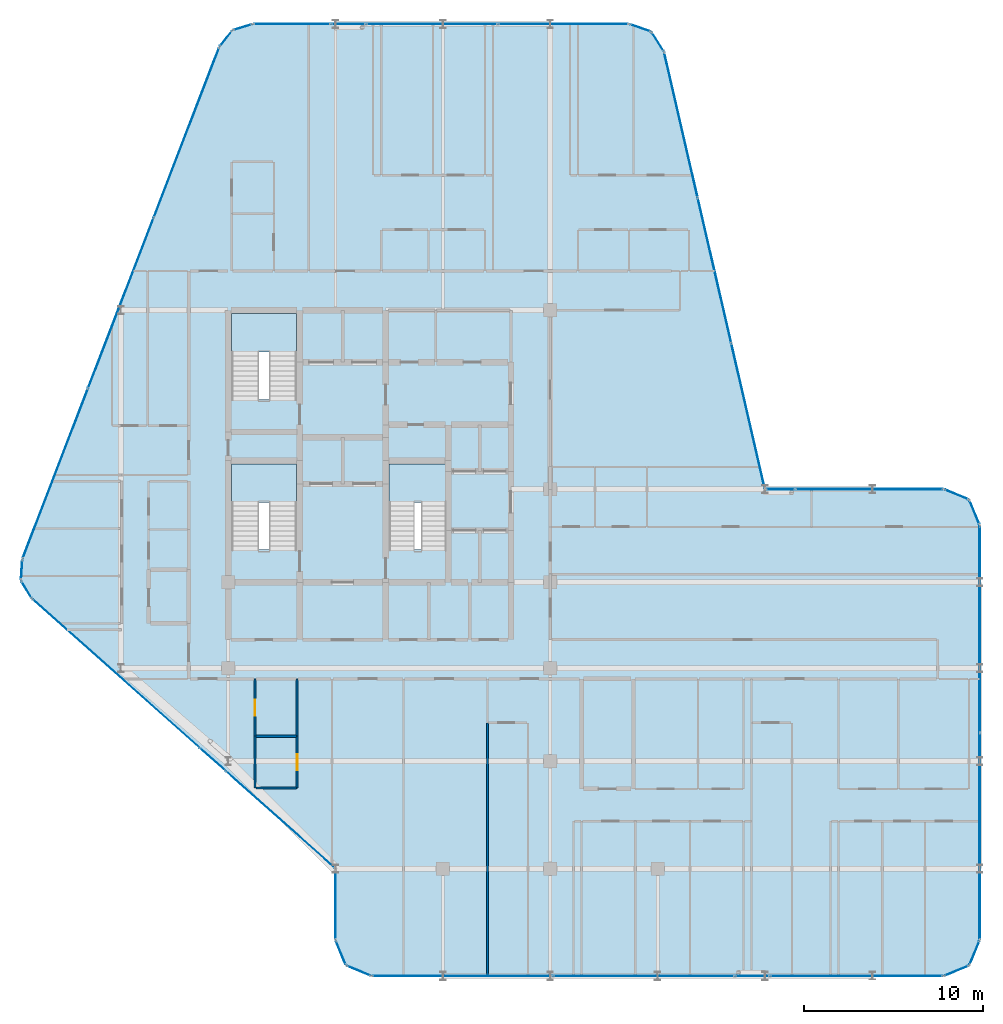
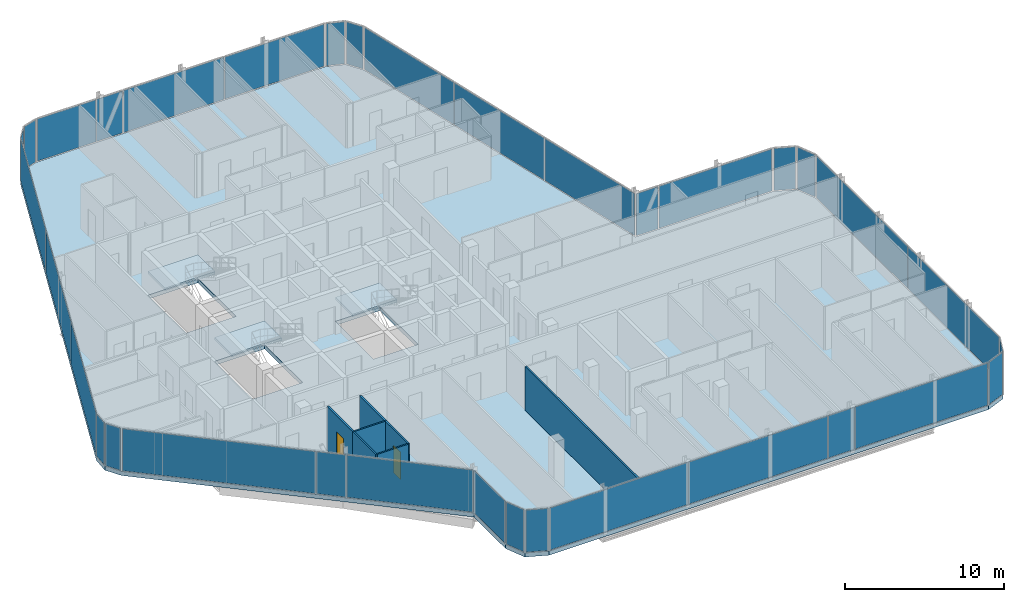
# One storey, part 22 of 29: 34 plates, 7 walls, 4 slabs, 2 doors, 2 openings, 30 elements without a shape of their own.
"""IFC4 building model written with IfcOpenShell, lengths in metres."""

from ifc_helpers import new_model, si_unit, direction, frame, frame_2d, origin, origin_2d, place, context, subcontext, project, spatial, polyline, rectangle, outline, extrude, material, layer, layer_set, type_object, element, fill, aggregate, save


model = new_model("IFC4")

# Units and contexts
model_context = context("Model", 3, precision=1e-05, world=origin(), true_north=direction((0.0, 1.0)))
body_context = subcontext(model_context, "Body", "Model", "MODEL_VIEW")
ifc_project = project(units=[si_unit("LENGTHUNIT", "METRE"), si_unit("AREAUNIT", "SQUARE_METRE"), si_unit("VOLUMEUNIT", "CUBIC_METRE"), si_unit("PLANEANGLEUNIT", "RADIAN"), si_unit("MASSUNIT", "GRAM", prefix="KILO")], contexts=[model_context])

# Site, building, storey
site_placement = place(None, origin())
site = spatial("IfcSite", under=ifc_project, at=site_placement, CompositionType="ELEMENT")
building_placement = place(site_placement, origin())
building = spatial("IfcBuilding", under=site, at=building_placement, Name="Keshet Zoharim Tower", CompositionType="ELEMENT")
storey_placement = place(building_placement, frame((0.0, 0.0, 214.300048828125)))
storey = spatial("IfcBuildingStorey", under=building, at=storey_placement, Name="L53", CompositionType="ELEMENT", Elevation=214.300048828125)

# Curtain wall, plate
ifc_material_1 = material(Name="Aluminium 6063-T6", Category="aluminium")
ifc_layer_1 = layer(ifc_material_1, 0.139892578125)
ifc_layer_set_1 = layer_set([ifc_layer_1], Name="Aluminium 6063-T6")
curtain_wall_type = type_object("IfcCurtainWallType", Name="CW-SYS-05", PredefinedType="NOTDEFINED", material=ifc_layer_set_1)
curtain_wall_1_placement = place(storey_placement, origin())
curtain_wall_1 = element("IfcCurtainWall", 1, at=curtain_wall_1_placement, inside=storey, type_object=curtain_wall_type, Name="L53 Unitised Curtain Wall 01", PredefinedType="NOTDEFINED")
ifc_material_2 = material(Name="Insulated Low-E Clear Glass", Category="glass")
ifc_layer_2 = layer(ifc_material_2, 0.031982421875)
ifc_layer_set_2 = layer_set([ifc_layer_2], Name="Insulated Low-E Clear Glass")
plate_type_1 = type_object("IfcPlateType", Name="CWP-02", PredefinedType="CURTAIN_PANEL", material=ifc_layer_set_2)
plate_1_placement = place(storey_placement, frame((55.70703125, 27.60693359375, 0.06982421875), z_axis=(0.0, 0.0, 1.0), x_axis=(0.92380975372, -0.382851849847, 0.0)))
plate_1 = element("IfcPlate", 2, at=plate_1_placement, type_object=plate_type_1, Name="CW-05 panel 1.1", PredefinedType="CURTAIN_PANEL", context=body_context, shape_type="SweptSolid", body=[
    extrude(rectangle(XDim=1.390625, YDim=0.031982421875, at=origin_2d()), origin(), (0.0, 0.0, 1.0), 3.239990234375),
])
aggregate(curtain_wall_1, [plate_1])

curtain_wall_2_placement = place(storey_placement, origin())
curtain_wall_2 = element("IfcCurtainWall", 3, at=curtain_wall_2_placement, inside=storey, type_object=curtain_wall_type, Name="L53 Unitised Curtain Wall 02", PredefinedType="NOTDEFINED")
plate_2_placement = place(storey_placement, frame((56.70703125, 26.60693359375, 0.06982421875), z_axis=(0.0, 0.0, 1.0), x_axis=(0.382851849847, -0.92380975372, 0.0)))
plate_2 = element("IfcPlate", 4, at=plate_2_placement, type_object=plate_type_1, Name="CW-05 panel 1.1", PredefinedType="CURTAIN_PANEL", context=body_context, shape_type="SweptSolid", body=[
    extrude(rectangle(XDim=1.390625, YDim=0.031982421875, at=origin_2d()), origin(), (0.0, 0.0, 1.0), 3.239990234375),
])
aggregate(curtain_wall_2, [plate_2])

# Curtain wall, plates
curtain_wall_3_placement = place(storey_placement, origin())
curtain_wall_3 = element("IfcCurtainWall", 5, at=curtain_wall_3_placement, inside=storey, type_object=curtain_wall_type, Name="L53 Unitised Curtain Wall 03", PredefinedType="NOTDEFINED")
plate_3_placement = place(storey_placement, frame((57.0, 20.08251953125, 0.06982421875), z_axis=(0.0, 0.0, 1.0), x_axis=(0.0, -1.0, 0.0)))
plate_3 = element("IfcPlate", 6, at=plate_3_placement, type_object=plate_type_1, Name="CW-05 panel 1.1", PredefinedType="CURTAIN_PANEL", context=body_context, shape_type="SweptSolid", body=[
    extrude(rectangle(XDim=11.4951171875, YDim=0.031982421875, at=origin_2d()), origin(), (0.0, 0.0, 1.0), 3.239990234375),
])
plate_4_placement = place(storey_placement, frame((57.0, 8.517578125, 0.06982421875), z_axis=(0.0, 0.0, 1.0), x_axis=(0.0, -1.0, 0.0)))
plate_4 = element("IfcPlate", 7, at=plate_4_placement, type_object=plate_type_1, Name="CW-05 panel 2.1", PredefinedType="CURTAIN_PANEL", context=body_context, shape_type="SweptSolid", body=[
    extrude(rectangle(XDim=11.4951171875, YDim=0.031982421875, at=origin_2d()), origin(), (0.0, 0.0, 1.0), 3.239990234375),
])
aggregate(curtain_wall_3, [plate_3, plate_4])

# Curtain wall, plate
curtain_wall_4_placement = place(storey_placement, origin())
curtain_wall_4 = element("IfcCurtainWall", 8, at=curtain_wall_4_placement, inside=storey, type_object=curtain_wall_type, Name="L53 Unitised Curtain Wall 04", PredefinedType="NOTDEFINED")
plate_5_placement = place(storey_placement, frame((56.70703125, 1.992919921875, 0.06982421875), z_axis=(0.0, 0.0, 1.0), x_axis=(-0.382851849847, -0.92380975372, 0.0)))
plate_5 = element("IfcPlate", 9, at=plate_5_placement, type_object=plate_type_1, Name="CW-05 panel 1.1", PredefinedType="CURTAIN_PANEL", context=body_context, shape_type="SweptSolid", body=[
    extrude(rectangle(XDim=1.390625, YDim=0.031982421875, at=origin_2d()), origin(), (0.0, 0.0, 1.0), 3.239990234375),
])
aggregate(curtain_wall_4, [plate_5])

curtain_wall_5_placement = place(storey_placement, origin())
curtain_wall_5 = element("IfcCurtainWall", 10, at=curtain_wall_5_placement, inside=storey, type_object=curtain_wall_type, Name="L53 Unitised Curtain Wall 05", PredefinedType="NOTDEFINED")
plate_6_placement = place(storey_placement, frame((55.70703125, 0.992919921875, 0.06982421875), z_axis=(0.0, 0.0, 1.0), x_axis=(-0.92380975372, -0.382851849847, 0.0)))
plate_6 = element("IfcPlate", 11, at=plate_6_placement, type_object=plate_type_1, Name="CW-05 panel 1.1", PredefinedType="CURTAIN_PANEL", context=body_context, shape_type="SweptSolid", body=[
    extrude(rectangle(XDim=1.390625, YDim=0.031982421875, at=origin_2d()), origin(), (0.0, 0.0, 1.0), 3.239990234375),
])
aggregate(curtain_wall_5, [plate_6])

curtain_wall_6_placement = place(storey_placement, origin())
curtain_wall_6 = element("IfcCurtainWall", 12, at=curtain_wall_6_placement, inside=storey, type_object=curtain_wall_type, Name="L53 Unitised Curtain Wall 06", PredefinedType="NOTDEFINED")
plate_7_placement = place(storey_placement, frame((50.1123046875, 0.699951171875, 0.06982421875), z_axis=(0.0, 0.0, 1.0), x_axis=(-1.0, 0.0, 0.0)))
plate_7 = element("IfcPlate", 13, at=plate_7_placement, type_object=plate_type_1, Name="CW-05 panel 1.1", PredefinedType="CURTAIN_PANEL", context=body_context, shape_type="SweptSolid", body=[
    extrude(rectangle(XDim=9.63525390625, YDim=0.031982421875, at=origin_2d()), origin(), (0.0, 0.0, 1.0), 3.239990234375),
])
aggregate(curtain_wall_6, [plate_7])

# Curtain wall, plates
curtain_wall_7_placement = place(storey_placement, origin())
curtain_wall_7 = element("IfcCurtainWall", 14, at=curtain_wall_7_placement, inside=storey, type_object=curtain_wall_type, Name="L53 Unitised Curtain Wall 06 Part 3", PredefinedType="NOTDEFINED")
plate_8_placement = place(storey_placement, frame((38.223876953125, 0.699951171875, 0.06982421875), z_axis=(0.0, 0.0, 1.0), x_axis=(-1.0, 0.0, 0.0)))
plate_8 = element("IfcPlate", 15, at=plate_8_placement, type_object=plate_type_1, Name="CW-05 panel 1.1", PredefinedType="CURTAIN_PANEL", context=body_context, shape_type="SweptSolid", body=[
    extrude(rectangle(XDim=10.1025390625, YDim=0.031982421875, at=origin_2d()), origin(), (0.0, 0.0, 1.0), 3.239990234375),
])
plate_9_placement = place(storey_placement, frame((28.086181640625, 0.699951171875, 0.06982421875), z_axis=(0.0, 0.0, 1.0), x_axis=(-1.0, 0.0, 0.0)))
plate_9 = element("IfcPlate", 16, at=plate_9_placement, type_object=plate_type_1, Name="CW-05 panel 2.1", PredefinedType="CURTAIN_PANEL", context=body_context, shape_type="SweptSolid", body=[
    extrude(rectangle(XDim=10.03271484375, YDim=0.031982421875, at=origin_2d()), origin(), (0.0, 0.0, 1.0), 3.239990234375),
])
aggregate(curtain_wall_7, [plate_8, plate_9])

# Curtain wall, plate
curtain_wall_8_placement = place(storey_placement, origin())
curtain_wall_8 = element("IfcCurtainWall", 17, at=curtain_wall_8_placement, inside=storey, type_object=curtain_wall_type, Name="L53 Unitised Curtain Wall 07", PredefinedType="NOTDEFINED")
plate_10_placement = place(storey_placement, frame((22.29296875, 0.992919921875, 0.06982421875), z_axis=(0.0, 0.0, 1.0), x_axis=(-0.92380975372, 0.382851849847, 0.0)))
plate_10 = element("IfcPlate", 18, at=plate_10_placement, type_object=plate_type_1, Name="CW-05 panel 1.1", PredefinedType="CURTAIN_PANEL", context=body_context, shape_type="SweptSolid", body=[
    extrude(rectangle(XDim=1.390625, YDim=0.031982421875, at=origin_2d()), origin(), (0.0, 0.0, 1.0), 3.239990234375),
])
aggregate(curtain_wall_8, [plate_10])

curtain_wall_9_placement = place(storey_placement, origin())
curtain_wall_9 = element("IfcCurtainWall", 19, at=curtain_wall_9_placement, inside=storey, type_object=curtain_wall_type, Name="L53 Unitised Curtain Wall 08", PredefinedType="NOTDEFINED")
plate_11_placement = place(storey_placement, frame((21.29296875, 1.992919921875, 0.06982421875), z_axis=(0.0, 0.0, 1.0), x_axis=(-0.382851849847, 0.92380975372, 0.0)))
plate_11 = element("IfcPlate", 20, at=plate_11_placement, type_object=plate_type_1, Name="CW-05 panel 1.1", PredefinedType="CURTAIN_PANEL", context=body_context, shape_type="SweptSolid", body=[
    extrude(rectangle(XDim=1.390625, YDim=0.031982421875, at=origin_2d()), origin(), (0.0, 0.0, 1.0), 3.239990234375),
])
aggregate(curtain_wall_9, [plate_11])

curtain_wall_10_placement = place(storey_placement, origin())
curtain_wall_10 = element("IfcCurtainWall", 21, at=curtain_wall_10_placement, inside=storey, type_object=curtain_wall_type, Name="L53 Unitised Curtain Wall 09", PredefinedType="NOTDEFINED")
plate_12_placement = place(storey_placement, frame((21.0, 4.699951171875, 0.06982421875), z_axis=(0.0, 0.0, 1.0), x_axis=(0.0, 1.0, 0.0)))
plate_12 = element("IfcPlate", 22, at=plate_12_placement, type_object=plate_type_1, Name="CW-05 panel 1.1", PredefinedType="CURTAIN_PANEL", context=body_context, shape_type="SweptSolid", body=[
    extrude(rectangle(XDim=3.860107421875, YDim=0.031982421875, at=origin_2d()), origin(), (0.0, 0.0, 1.0), 3.239990234375),
])
aggregate(curtain_wall_10, [plate_12])

curtain_wall_11_placement = place(storey_placement, origin())
curtain_wall_11 = element("IfcCurtainWall", 23, at=curtain_wall_11_placement, inside=storey, type_object=curtain_wall_type, Name="L53 Unitised Curtain Wall 10", PredefinedType="NOTDEFINED")
plate_13_placement = place(storey_placement, frame((17.91845703125, 9.439208984375, 0.06982421875), z_axis=(0.0, 0.0, 1.0), x_axis=(-0.747409318679, 0.664363838836, 0.0)))
plate_13 = element("IfcPlate", 24, at=plate_13_placement, type_object=plate_type_1, Name="CW-05 panel 1.1", PredefinedType="CURTAIN_PANEL", context=body_context, shape_type="SweptSolid", body=[
    extrude(rectangle(XDim=8.106201171875, YDim=0.031982421875, at=origin_2d()), origin(), (0.0, 0.0, 1.0), 3.239990234375),
])
aggregate(curtain_wall_11, [plate_13])

curtain_wall_12_placement = place(storey_placement, origin())
curtain_wall_12 = element("IfcCurtainWall", 25, at=curtain_wall_12_placement, inside=storey, type_object=curtain_wall_type, Name="L53 Unitised Curtain Wall 10 Part 3", PredefinedType="NOTDEFINED")
plate_14_placement = place(storey_placement, frame((8.733642578125, 17.603515625, 0.06982421875), z_axis=(0.0, 0.0, 1.0), x_axis=(-0.747408877406, 0.664364335267, 0.0)))
plate_14 = element("IfcPlate", 26, at=plate_14_placement, type_object=plate_type_1, Name="CW-05 panel 1.1", PredefinedType="CURTAIN_PANEL", context=body_context, shape_type="SweptSolid", body=[
    extrude(rectangle(XDim=12.432861328125, YDim=0.031982421875, at=origin_2d()), origin(), (0.0, 0.0, 1.0), 3.239990234375),
])
aggregate(curtain_wall_12, [plate_14])

curtain_wall_13_placement = place(storey_placement, origin())
curtain_wall_13 = element("IfcCurtainWall", 27, at=curtain_wall_13_placement, inside=storey, type_object=curtain_wall_type, Name="L53 Unitised Curtain Wall 11", PredefinedType="NOTDEFINED")
plate_15_placement = place(storey_placement, frame((3.7275390625, 22.291015625, 0.06982421875), z_axis=(0.0, 0.0, 1.0), x_axis=(-0.515604947933, 0.856826433805, 0.0)))
plate_15 = element("IfcPlate", 28, at=plate_15_placement, type_object=plate_type_1, Name="CW-05 panel 1.1", PredefinedType="CURTAIN_PANEL", context=body_context, shape_type="SweptSolid", body=[
    extrude(rectangle(XDim=1.052734375, YDim=0.031982421875, at=origin_2d()), origin(), (0.0, 0.0, 1.0), 3.239990234375),
])
aggregate(curtain_wall_13, [plate_15])

curtain_wall_14_placement = place(storey_placement, origin())
curtain_wall_14 = element("IfcCurtainWall", 29, at=curtain_wall_14_placement, inside=storey, type_object=curtain_wall_type, Name="L53 Unitised Curtain Wall 12", PredefinedType="NOTDEFINED")
plate_16_placement = place(storey_placement, frame((3.45849609375, 23.3974609375, 0.06982421875), z_axis=(0.0, 0.0, 1.0), x_axis=(0.064516859374, 0.997916617186, 0.0)))
plate_16 = element("IfcPlate", 30, at=plate_16_placement, type_object=plate_type_1, Name="CW-05 panel 1.1", PredefinedType="CURTAIN_PANEL", context=body_context, shape_type="SweptSolid", body=[
    extrude(rectangle(XDim=1.053466796875, YDim=0.031982421875, at=origin_2d()), origin(), (0.0, 0.0, 1.0), 3.239990234375),
])
aggregate(curtain_wall_14, [plate_16])

# Curtain wall, plates
curtain_wall_15_placement = place(storey_placement, origin())
curtain_wall_15 = element("IfcCurtainWall", 31, at=curtain_wall_15_placement, inside=storey, type_object=curtain_wall_type, Name="L53 Unitised Curtain Wall 13", PredefinedType="NOTDEFINED")
plate_17_placement = place(storey_placement, frame((5.33837890625, 28.7802734375, 0.06982421875), z_axis=(0.0, 0.0, 1.0), x_axis=(0.358990003907, 0.933341404361, 0.0)))
plate_17 = element("IfcPlate", 32, at=plate_17_placement, type_object=plate_type_1, Name="CW-05 panel 1.1", PredefinedType="CURTAIN_PANEL", context=body_context, shape_type="SweptSolid", body=[
    extrude(rectangle(XDim=10.1181640625, YDim=0.031982421875, at=origin_2d()), origin(), (0.0, 0.0, 1.0), 3.239990234375),
])
plate_18_placement = place(storey_placement, frame((9.001953125, 38.305419921875, 0.06982421875), z_axis=(0.0, 0.0, 1.0), x_axis=(0.358990003907, 0.933341404361, 0.0)))
plate_18 = element("IfcPlate", 33, at=plate_18_placement, type_object=plate_type_1, Name="CW-05 panel 2.1", PredefinedType="CURTAIN_PANEL", context=body_context, shape_type="SweptSolid", body=[
    extrude(rectangle(XDim=10.153076171875, YDim=0.031982421875, at=origin_2d()), origin(), (0.0, 0.0, 1.0), 3.239990234375),
])
plate_19_placement = place(storey_placement, frame((12.665771484375, 47.830810546875, 0.06982421875), z_axis=(0.0, 0.0, 1.0), x_axis=(0.358990003907, 0.933341404361, 0.0)))
plate_19 = element("IfcPlate", 34, at=plate_19_placement, type_object=plate_type_1, Name="CW-05 panel 3.1", PredefinedType="CURTAIN_PANEL", context=body_context, shape_type="SweptSolid", body=[
    extrude(rectangle(XDim=10.1181640625, YDim=0.031982421875, at=origin_2d()), origin(), (0.0, 0.0, 1.0), 3.239990234375),
])
aggregate(curtain_wall_15, [plate_17, plate_18, plate_19])

# Curtain wall, plate
curtain_wall_16_placement = place(storey_placement, origin())
curtain_wall_16 = element("IfcCurtainWall", 35, at=curtain_wall_16_placement, inside=storey, type_object=curtain_wall_type, Name="L53 Unitised Curtain Wall 14", PredefinedType="NOTDEFINED")
plate_20_placement = place(storey_placement, frame((14.8740234375, 53.08349609375, 0.06982421875), z_axis=(0.0, 0.0, 1.0), x_axis=(0.619124525989, 0.785292825205, 0.0)))
plate_20 = element("IfcPlate", 36, at=plate_20_placement, type_object=plate_type_1, Name="CW-05 panel 1.1", PredefinedType="CURTAIN_PANEL", context=body_context, shape_type="SweptSolid", body=[
    extrude(rectangle(XDim=1.045654296875, YDim=0.031982421875, at=origin_2d()), origin(), (0.0, 0.0, 1.0), 3.239990234375),
])
aggregate(curtain_wall_16, [plate_20])

curtain_wall_17_placement = place(storey_placement, origin())
curtain_wall_17 = element("IfcCurtainWall", 37, at=curtain_wall_17_placement, inside=storey, type_object=curtain_wall_type, Name="L53 Unitised Curtain Wall 15", PredefinedType="NOTDEFINED")
plate_21_placement = place(storey_placement, frame((15.8076171875, 53.724609375, 0.06982421875), z_axis=(0.0, 0.0, 1.0), x_axis=(0.955212151288, 0.295921857984, 0.0)))
plate_21 = element("IfcPlate", 38, at=plate_21_placement, type_object=plate_type_1, Name="CW-05 panel 1.1", PredefinedType="CURTAIN_PANEL", context=body_context, shape_type="SweptSolid", body=[
    extrude(rectangle(XDim=1.046142578125, YDim=0.031982421875, at=origin_2d()), origin(), (0.0, 0.0, 1.0), 3.239990234375),
])
aggregate(curtain_wall_17, [plate_21])

curtain_wall_18_placement = place(storey_placement, origin())
curtain_wall_18 = element("IfcCurtainWall", 39, at=curtain_wall_18_placement, inside=storey, type_object=curtain_wall_type, Name="L53 Unitised Curtain Wall 16", PredefinedType="NOTDEFINED")
plate_22_placement = place(storey_placement, frame((18.57470703125, 53.89990234375, 0.06982421875), z_axis=(0.0, 0.0, 1.0), x_axis=(1.0, 0.0, 0.0)))
plate_22 = element("IfcPlate", 40, at=plate_22_placement, type_object=plate_type_1, Name="CW-05 panel 1.1", PredefinedType="CURTAIN_PANEL", context=body_context, shape_type="SweptSolid", body=[
    extrude(rectangle(XDim=4.26123046875, YDim=0.031982421875, at=origin_2d()), origin(), (0.0, 0.0, 1.0), 3.239990234375),
])
aggregate(curtain_wall_18, [plate_22])

# Curtain wall, plates
curtain_wall_19_placement = place(storey_placement, origin())
curtain_wall_19 = element("IfcCurtainWall", 41, at=curtain_wall_19_placement, inside=storey, type_object=curtain_wall_type, Name="L53 Unitised Curtain Wall 16 Part 3", PredefinedType="NOTDEFINED")
plate_23_placement = place(storey_placement, frame((26.37841796875, 53.89990234375, 0.06982421875), z_axis=(0.0, 0.0, 1.0), x_axis=(1.0, 0.0, 0.0)))
plate_23 = element("IfcPlate", 42, at=plate_23_placement, type_object=plate_type_1, Name="CW-05 panel 1.1", PredefinedType="CURTAIN_PANEL", context=body_context, shape_type="SweptSolid", body=[
    extrude(rectangle(XDim=7.30712890625, YDim=0.031982421875, at=origin_2d()), origin(), (0.0, 0.0, 1.0), 3.239990234375),
])
plate_24_placement = place(storey_placement, frame((33.720458984375, 53.89990234375, 0.06982421875), z_axis=(0.0, 0.0, 1.0), x_axis=(1.0, 0.0, 0.0)))
plate_24 = element("IfcPlate", 43, at=plate_24_placement, type_object=plate_type_1, Name="CW-05 panel 2.1", PredefinedType="CURTAIN_PANEL", context=body_context, shape_type="SweptSolid", body=[
    extrude(rectangle(XDim=7.237060546875, YDim=0.031982421875, at=origin_2d()), origin(), (0.0, 0.0, 1.0), 3.239990234375),
])
aggregate(curtain_wall_19, [plate_23, plate_24])

# Curtain wall, plate
curtain_wall_20_placement = place(storey_placement, origin())
curtain_wall_20 = element("IfcCurtainWall", 44, at=curtain_wall_20_placement, inside=storey, type_object=curtain_wall_type, Name="L53 Unitised Curtain Wall 17", PredefinedType="NOTDEFINED")
plate_25_placement = place(storey_placement, frame((38.031494140625, 53.6826171875, 0.06982421875), z_axis=(0.0, 0.0, 1.0), x_axis=(0.944035542119, -0.329843743636, 0.0)))
plate_25 = element("IfcPlate", 45, at=plate_25_placement, type_object=plate_type_1, Name="CW-05 panel 1.1", PredefinedType="CURTAIN_PANEL", context=body_context, shape_type="SweptSolid", body=[
    extrude(rectangle(XDim=1.1787109375, YDim=0.031982421875, at=origin_2d()), origin(), (0.0, 0.0, 1.0), 3.239990234375),
])
aggregate(curtain_wall_20, [plate_25])

curtain_wall_21_placement = place(storey_placement, origin())
curtain_wall_21 = element("IfcCurtainWall", 46, at=curtain_wall_21_placement, inside=storey, type_object=curtain_wall_type, Name="L53 Unitised Curtain Wall 18", PredefinedType="NOTDEFINED")
plate_26_placement = place(storey_placement, frame((39.006103515625, 52.907470703125, 0.06982421875), z_axis=(0.0, 0.0, 1.0), x_axis=(0.533878858502, -0.845560976183, 0.0)))
plate_26 = element("IfcPlate", 47, at=plate_26_placement, type_object=plate_type_1, Name="CW-05 panel 1.1", PredefinedType="CURTAIN_PANEL", context=body_context, shape_type="SweptSolid", body=[
    extrude(rectangle(XDim=1.1787109375, YDim=0.031982421875, at=origin_2d()), origin(), (0.0, 0.0, 1.0), 3.239990234375),
])
aggregate(curtain_wall_21, [plate_26])

# Curtain wall, plates
curtain_wall_22_placement = place(storey_placement, origin())
curtain_wall_22 = element("IfcCurtainWall", 48, at=curtain_wall_22_placement, inside=storey, type_object=curtain_wall_type, Name="L53 Unitised Curtain Wall 19", PredefinedType="NOTDEFINED")
plate_27_placement = place(storey_placement, frame((40.30224609375, 48.258056640625, 0.06982421875), z_axis=(0.0, 0.0, 1.0), x_axis=(0.224847864369, -0.974393882313, 0.0)))
plate_27 = element("IfcPlate", 49, at=plate_27_placement, type_object=plate_type_1, Name="CW-05 panel 1.1", PredefinedType="CURTAIN_PANEL", context=body_context, shape_type="SweptSolid", body=[
    extrude(rectangle(XDim=8.25927734375, YDim=0.031982421875, at=origin_2d()), origin(), (0.0, 0.0, 1.0), 3.239990234375),
])
plate_28_placement = place(storey_placement, frame((42.178955078125, 40.125, 0.06982421875), z_axis=(0.0, 0.0, 1.0), x_axis=(0.224847864369, -0.974393882313, 0.0)))
plate_28 = element("IfcPlate", 50, at=plate_28_placement, type_object=plate_type_1, Name="CW-05 panel 2.1", PredefinedType="CURTAIN_PANEL", context=body_context, shape_type="SweptSolid", body=[
    extrude(rectangle(XDim=8.294189453125, YDim=0.031982421875, at=origin_2d()), origin(), (0.0, 0.0, 1.0), 3.239990234375),
])
plate_29_placement = place(storey_placement, frame((44.0556640625, 31.991943359375, 0.06982421875), z_axis=(0.0, 0.0, 1.0), x_axis=(0.224847864369, -0.974393882313, 0.0)))
plate_29 = element("IfcPlate", 51, at=plate_29_placement, type_object=plate_type_1, Name="CW-05 panel 3.1", PredefinedType="CURTAIN_PANEL", context=body_context, shape_type="SweptSolid", body=[
    extrude(rectangle(XDim=8.25927734375, YDim=0.031982421875, at=origin_2d()), origin(), (0.0, 0.0, 1.0), 3.239990234375),
])
aggregate(curtain_wall_22, [plate_27, plate_28, plate_29])

# Curtain wall, plate
curtain_wall_23_placement = place(storey_placement, origin())
curtain_wall_23 = element("IfcCurtainWall", 52, at=curtain_wall_23_placement, inside=storey, type_object=curtain_wall_type, Name="L53 Unitised Curtain Wall 20 Part 2", PredefinedType="NOTDEFINED")
plate_30_placement = place(storey_placement, frame((50.827392578125, 27.89990234375, 0.06982421875), z_axis=(0.0, 0.0, 1.0), x_axis=(1.0, 0.0, 0.0)))
plate_30 = element("IfcPlate", 53, at=plate_30_placement, type_object=plate_type_1, Name="CW-05 panel 1.1", PredefinedType="CURTAIN_PANEL", context=body_context, shape_type="SweptSolid", body=[
    extrude(rectangle(XDim=8.205078125, YDim=0.031982421875, at=origin_2d()), origin(), (0.0, 0.0, 1.0), 3.239990234375),
])
aggregate(curtain_wall_23, [plate_30])

curtain_wall_24_placement = place(storey_placement, origin())
curtain_wall_24 = element("IfcCurtainWall", 54, at=curtain_wall_24_placement, inside=storey, type_object=curtain_wall_type, Name="L53 Unitised Curtain Wall 06 Part 2", PredefinedType="NOTDEFINED")
ifc_material_3 = material(Name="Insulated Aluminium Spandrel Panel", Category="aluminium")
ifc_layer_3 = layer(ifc_material_3, 0.031982421875)
ifc_layer_set_3 = layer_set([ifc_layer_3], Name="Insulated Aluminium Spandrel Panel")
plate_type_2 = type_object("IfcPlateType", Name="CWP-05", PredefinedType="CURTAIN_PANEL", material=ifc_layer_set_3)
plate_31_placement = place(storey_placement, frame((44.284912109375, 0.699951171875, 0.06982421875), z_axis=(0.0, 0.0, 1.0), x_axis=(-1.0, 0.0, 0.0)))
plate_31 = element("IfcPlate", 55, at=plate_31_placement, type_object=plate_type_2, Name="CW-05 spandrel panel 1.1", PredefinedType="CURTAIN_PANEL", context=body_context, shape_type="SweptSolid", body=[
    extrude(rectangle(XDim=1.879638671875, YDim=0.031982421875, at=origin_2d()), origin(), (0.0, 0.0, 1.0), 3.239990234375),
])
aggregate(curtain_wall_24, [plate_31])

curtain_wall_25_placement = place(storey_placement, origin())
curtain_wall_25 = element("IfcCurtainWall", 56, at=curtain_wall_25_placement, inside=storey, type_object=curtain_wall_type, Name="L53 Unitised Curtain Wall 10 Part 2", PredefinedType="NOTDEFINED")
plate_32_placement = place(storey_placement, frame((14.134521484375, 12.802734375, 0.06982421875), z_axis=(0.0, 0.0, 1.0), x_axis=(-0.747412148908, 0.664360654814, 0.0)))
plate_32 = element("IfcPlate", 57, at=plate_32_placement, type_object=plate_type_2, Name="CW-05 spandrel panel 1.1", PredefinedType="CURTAIN_PANEL", context=body_context, shape_type="SweptSolid", body=[
    extrude(rectangle(XDim=1.87939453125, YDim=0.031982421875, at=origin_2d()), origin(), (0.0, 0.0, 1.0), 3.239990234375),
])
aggregate(curtain_wall_25, [plate_32])

curtain_wall_26_placement = place(storey_placement, origin())
curtain_wall_26 = element("IfcCurtainWall", 58, at=curtain_wall_26_placement, inside=storey, type_object=curtain_wall_type, Name="L53 Unitised Curtain Wall 16 Part 2", PredefinedType="NOTDEFINED")
plate_33_placement = place(storey_placement, frame((21.715087890625, 53.89990234375, 0.06982421875), z_axis=(0.0, 0.0, 1.0), x_axis=(1.0, 0.0, 0.0)))
plate_33 = element("IfcPlate", 59, at=plate_33_placement, type_object=plate_type_2, Name="CW-05 spandrel panel 1.1", PredefinedType="CURTAIN_PANEL", context=body_context, shape_type="SweptSolid", body=[
    extrude(rectangle(XDim=1.879638671875, YDim=0.031982421875, at=origin_2d()), origin(), (0.0, 0.0, 1.0), 3.239990234375),
])
aggregate(curtain_wall_26, [plate_33])

curtain_wall_27_placement = place(storey_placement, origin())
curtain_wall_27 = element("IfcCurtainWall", 60, at=curtain_wall_27_placement, inside=storey, type_object=curtain_wall_type, Name="L53 Unitised Curtain Wall 20", PredefinedType="NOTDEFINED")
plate_34_placement = place(storey_placement, frame((45.8623046875, 27.89990234375, 0.06982421875), z_axis=(0.0, 0.0, 1.0), x_axis=(1.0, 0.0, 0.0)))
plate_34 = element("IfcPlate", 61, at=plate_34_placement, type_object=plate_type_2, Name="CW-05 spandrel panel 1.1", PredefinedType="CURTAIN_PANEL", context=body_context, shape_type="SweptSolid", body=[
    extrude(rectangle(XDim=1.584716796875, YDim=0.031982421875, at=origin_2d()), origin(), (0.0, 0.0, 1.0), 3.239990234375),
])
aggregate(curtain_wall_27, [plate_34])

# Stair, slab
ifc_material_4 = material(Name="Concrete C50/60", Category="concrete")
stair_type = type_object("IfcStairType", Name="STR-EXIT-135", PredefinedType="HALF_TURN_STAIR", material=ifc_material_4)
stair_1_placement = place(storey_placement, origin())
stair_1 = element("IfcStair", 62, at=stair_1_placement, inside=storey, type_object=stair_type, Name="L53 Enclosed Exit Stair ST-01", PredefinedType="HALF_TURN_STAIR")
ifc_layer_4 = layer(ifc_material_4, 0.199951171875)
ifc_layer_set_4 = layer_set([ifc_layer_4], Name="Concrete C50/60")
slab_type_1 = type_object("IfcSlabType", Name="SLB-LND-200", PredefinedType="LANDING", material=ifc_layer_set_4)
slab_1_placement = place(storey_placement, frame((0.0, 0.0, 1.64990234375)))
slab_1 = element("IfcSlab", 63, at=slab_1_placement, type_object=slab_type_1, Name="ST-01 landing 1", PredefinedType="LANDING", context=body_context, shape_type="SweptSolid", body=[
    extrude(outline(polyline([(15.179931640625, 27.159912109375), (18.820068359375, 27.159912109375), (18.820068359375, 29.320068359375), (15.179931640625, 29.320068359375), (15.179931640625, 27.159912109375)])), origin(), (0.0, 0.0, 1.0), 0.199951171875),
])
aggregate(stair_1, [slab_1])

stair_2_placement = place(storey_placement, origin())
stair_2 = element("IfcStair", 64, at=stair_2_placement, inside=storey, type_object=stair_type, Name="L53 Enclosed Exit Stair ST-02", PredefinedType="HALF_TURN_STAIR")
slab_2_placement = place(storey_placement, frame((0.0, 0.0, 1.64990234375)))
slab_2 = element("IfcSlab", 65, at=slab_2_placement, type_object=slab_type_1, Name="ST-02 landing 1", PredefinedType="LANDING", context=body_context, shape_type="SweptSolid", body=[
    extrude(outline(polyline([(15.179931640625, 35.56005859375), (18.820068359375, 35.56005859375), (18.820068359375, 37.719970703125), (15.179931640625, 37.719970703125), (15.179931640625, 35.56005859375)])), origin(), (0.0, 0.0, 1.0), 0.199951171875),
])
aggregate(stair_2, [slab_2])

stair_3_placement = place(storey_placement, origin())
stair_3 = element("IfcStair", 66, at=stair_3_placement, inside=storey, type_object=stair_type, Name="L53 Enclosed Exit Stair ST-03", PredefinedType="HALF_TURN_STAIR")
slab_3_placement = place(storey_placement, frame((0.0, 0.0, 1.64990234375)))
slab_3 = element("IfcSlab", 67, at=slab_3_placement, type_object=slab_type_1, Name="ST-03 landing 1", PredefinedType="LANDING", context=body_context, shape_type="SweptSolid", body=[
    extrude(outline(polyline([(23.97998046875, 27.159912109375), (27.219970703125, 27.159912109375), (27.219970703125, 29.320068359375), (23.97998046875, 29.320068359375), (23.97998046875, 27.159912109375)])), origin(), (0.0, 0.0, 1.0), 0.199951171875),
])
aggregate(stair_3, [slab_3])

# Slab
ifc_layer_5 = layer(ifc_material_4, 0.31005859375)
ifc_layer_set_5 = layer_set([ifc_layer_5], Name="Concrete C50/60")
slab_type_2 = type_object("IfcSlabType", Name="SLB-UPP-240", PredefinedType="FLOOR", material=ifc_layer_set_5)
slab_4_placement = place(storey_placement, frame((0.0, 0.0, -0.31005859375)))
element("IfcSlab", 68, at=slab_4_placement, inside=storey, type_object=slab_type_2, Name="L53 Structural Floor Slab 1", PredefinedType="FLOOR", context=body_context, shape_type="SweptSolid", body=[
    extrude(outline(polyline([(55.0, 27.89990234375), (56.4140625, 27.31396484375), (57.0, 25.89990234375), (57.0, 2.699951171875), (56.4140625, 1.285888671875), (55.0, 0.699951171875), (23.0, 0.699951171875), (21.5859375, 1.285888671875), (21.0, 2.699951171875), (21.0, 6.699951171875), (4.034912109375, 21.780029296875), (3.419921875, 22.802001953125), (3.4970703125, 23.992919921875), (14.507080078125, 52.617919921875), (15.240966796875, 53.549072265625), (16.3740234375, 53.89990234375), (37.408935546875, 53.89990234375), (38.654052734375, 53.465087890625), (39.35791015625, 52.35009765625), (45.0, 27.89990234375), (55.0, 27.89990234375)]), holes=[polyline([(15.179931640625, 24.52001953125), (18.820068359375, 24.52001953125), (18.820068359375, 29.320068359375), (15.179931640625, 29.320068359375), (15.179931640625, 24.52001953125)]), polyline([(15.179931640625, 32.919921875), (18.820068359375, 32.919921875), (18.820068359375, 37.719970703125), (15.179931640625, 37.719970703125), (15.179931640625, 32.919921875)]), polyline([(23.97998046875, 24.52001953125), (27.219970703125, 24.52001953125), (27.219970703125, 29.320068359375), (23.97998046875, 29.320068359375), (23.97998046875, 24.52001953125)])]), origin(), (0.0, 0.0, 1.0), 0.31005859375),
])

# Wall, opening, door
ifc_material_5 = material(Name="Gypsum Plasterboard", Category="gypsum")
ifc_layer_6 = layer(ifc_material_5, 0.1201171875)
ifc_layer_set_6 = layer_set([ifc_layer_6], Name="Gypsum Plasterboard")
wall_type_1 = type_object("IfcWallType", Name="WL-PART-120", PredefinedType="PARTITIONING", material=ifc_layer_set_6)
wall_1_placement = place(storey_placement, frame((16.5, 14.10009765625, 0.0), z_axis=(0.0, 0.0, 1.0), x_axis=(0.0, 1.0, 0.0)))
wall_1 = element("IfcWall", 69, at=wall_1_placement, inside=storey, type_object=wall_type_1, Name="L53 Interior Wall 020", PredefinedType="PARTITIONING", context=body_context, shape_type="SweptSolid", body=[
    extrude(rectangle(XDim=3.199951171875, YDim=0.1201171875, at=frame_2d((1.60009765625, 0.0))), origin(), (0.0, 0.0, 1.0), 3.3798828125),
])
opening_1_placement = place(wall_1_placement, frame((1.14990234375, 0.0, 0.0)))
opening_1 = element("IfcOpeningElement", 70, at=opening_1_placement, cuts=wall_1, Name="Opening D-IN90", PredefinedType="OPENING", context=body_context, shape_type="SweptSolid", body=[
    extrude(rectangle(XDim=0.89990234375, YDim=2.14990234375, at=frame_2d((0.449951171875, 1.074951171875))), frame((0.0, 0.070068359375, 0.0), z_axis=(0.0, -1.0, 0.0), x_axis=(1.0, 0.0, 0.0)), (0.0, 0.0, 1.0), 0.14013671875),
])
ifc_material_6 = material(Name="Hardwood Timber", Category="wood")
door_type_1 = type_object("IfcDoorType", Name="DR-INT-090", OperationType="NOTDEFINED", PredefinedType="DOOR", material=ifc_material_6)
door_1_placement = place(opening_1_placement, origin())
door_1 = element("IfcDoor", 71, at=door_1_placement, inside=storey, type_object=door_type_1, Name="Apartment 5301 Kitchenette Door", OperationType="SINGLE_SWING_RIGHT", OverallHeight=2.14990234375, OverallWidth=0.89990234375, PredefinedType="DOOR", context=body_context, shape_type="SweptSolid", body=[
    extrude(rectangle(XDim=0.89990234375, YDim=2.14990234375, at=frame_2d((0.449951171875, 1.074951171875))), frame((0.0, 0.02490234375, 0.0), z_axis=(0.0, -1.0, 0.0), x_axis=(1.0, 0.0, 0.0)), (0.0, 0.0, 1.0), 0.050048828125),
])
fill(opening_1, door_1)

# Walls
wall_2_placement = place(storey_placement, frame((18.85009765625, 14.10009765625, 0.0), z_axis=(0.0, 0.0, 1.0), x_axis=(0.0, 1.0, 0.0)))
element("IfcWall", 72, at=wall_2_placement, inside=storey, type_object=wall_type_1, Name="L53 Interior Wall 024", PredefinedType="PARTITIONING", context=body_context, shape_type="SweptSolid", body=[
    extrude(rectangle(XDim=3.199951171875, YDim=0.1201171875, at=frame_2d((1.60009765625, 0.0))), origin(), (0.0, 0.0, 1.0), 3.3798828125),
])
wall_3_placement = place(storey_placement, frame((29.5, 0.7099609375, 0.0), z_axis=(0.0, 0.0, 1.0), x_axis=(0.0, 1.0, 0.0)))
element("IfcWall", 73, at=wall_3_placement, inside=storey, type_object=wall_type_1, Name="L53 Interior Wall 058", PredefinedType="PARTITIONING", context=body_context, shape_type="SweptSolid", body=[
    extrude(rectangle(XDim=14.14013671875, YDim=0.1201171875, at=frame_2d((7.070068359375, 0.0))), origin(), (0.0, 0.0, 1.0), 3.3798828125),
])
ifc_layer_7 = layer(ifc_material_5, 0.1201171875)
ifc_layer_set_7 = layer_set([ifc_layer_7], Name="Gypsum Plasterboard")
wall_type_2 = type_object("IfcWallType", Name="WL-WET-120", PredefinedType="PARTITIONING", material=ifc_layer_set_7)
wall_4_placement = place(storey_placement, frame((16.5, 11.199951171875, 0.0), z_axis=(0.0, 0.0, 1.0), x_axis=(0.0, 1.0, 0.0)))
element("IfcWall", 74, at=wall_4_placement, inside=storey, type_object=wall_type_2, Name="L53 Interior Wall 019", PredefinedType="PARTITIONING", context=body_context, shape_type="SweptSolid", body=[
    extrude(rectangle(XDim=2.900146484375, YDim=0.1201171875, at=frame_2d((1.4501953125, 0.0))), origin(), (0.0, 0.0, 1.0), 3.3798828125),
])

# Wall, opening, door
wall_5_placement = place(storey_placement, frame((18.85009765625, 11.199951171875, 0.0), z_axis=(0.0, 0.0, 1.0), x_axis=(0.0, 1.0, 0.0)))
wall_5 = element("IfcWall", 75, at=wall_5_placement, inside=storey, type_object=wall_type_2, Name="L53 Interior Wall 023", PredefinedType="PARTITIONING", context=body_context, shape_type="SweptSolid", body=[
    extrude(rectangle(XDim=2.900146484375, YDim=0.1201171875, at=frame_2d((1.4501953125, 0.0))), origin(), (0.0, 0.0, 1.0), 3.3798828125),
])
opening_2_placement = place(wall_5_placement, frame((1.0, 0.0, 0.0)))
opening_2 = element("IfcOpeningElement", 76, at=opening_2_placement, cuts=wall_5, Name="Opening D-WT90", PredefinedType="OPENING", context=body_context, shape_type="SweptSolid", body=[
    extrude(rectangle(XDim=0.89990234375, YDim=2.10009765625, at=frame_2d((0.449951171875, 1.050048828125))), frame((0.0, 0.070068359375, 0.0), z_axis=(0.0, -1.0, 0.0), x_axis=(1.0, 0.0, 0.0)), (0.0, 0.0, 1.0), 0.14013671875),
])
door_type_2 = type_object("IfcDoorType", Name="DR-WET-090", OperationType="NOTDEFINED", PredefinedType="DOOR", material=ifc_material_6)
door_2_placement = place(opening_2_placement, origin())
door_2 = element("IfcDoor", 77, at=door_2_placement, inside=storey, type_object=door_type_2, Name="Apartment 5301 Bathroom Door", OperationType="SINGLE_SWING_RIGHT", OverallHeight=2.10009765625, OverallWidth=0.89990234375, PredefinedType="DOOR", context=body_context, shape_type="SweptSolid", body=[
    extrude(rectangle(XDim=0.89990234375, YDim=2.10009765625, at=frame_2d((0.449951171875, 1.050048828125))), frame((0.0, 0.02490234375, 0.0), z_axis=(0.0, -1.0, 0.0), x_axis=(1.0, 0.0, 0.0)), (0.0, 0.0, 1.0), 0.050048828125),
])
fill(opening_2, door_2)

# Walls
for number, where, z_axis, x_axis, name in (
    (78, (16.544921875, 11.199951171875, 0.0), (0.0, 0.0, 1.0), (1.0, 0.0, 0.0), "L53 Interior Wall 113"),
    (79, (16.544921875, 14.10009765625, 0.0), (0.0, 0.0, 1.0), (1.0, 0.0, 0.0), "L53 Interior Wall 114"),
):
    element("IfcWall", number, at=place(storey_placement, frame(where, z_axis=z_axis, x_axis=x_axis)), inside=storey, type_object=wall_type_2, Name=name, PredefinedType="PARTITIONING", context=body_context, shape_type="SweptSolid", body=[
        extrude(rectangle(XDim=2.260009765625, YDim=0.1201171875, at=frame_2d((1.1298828125, 0.0))), origin(), (0.0, 0.0, 1.0), 3.3798828125),
    ])

save(model, "model.ifc")
